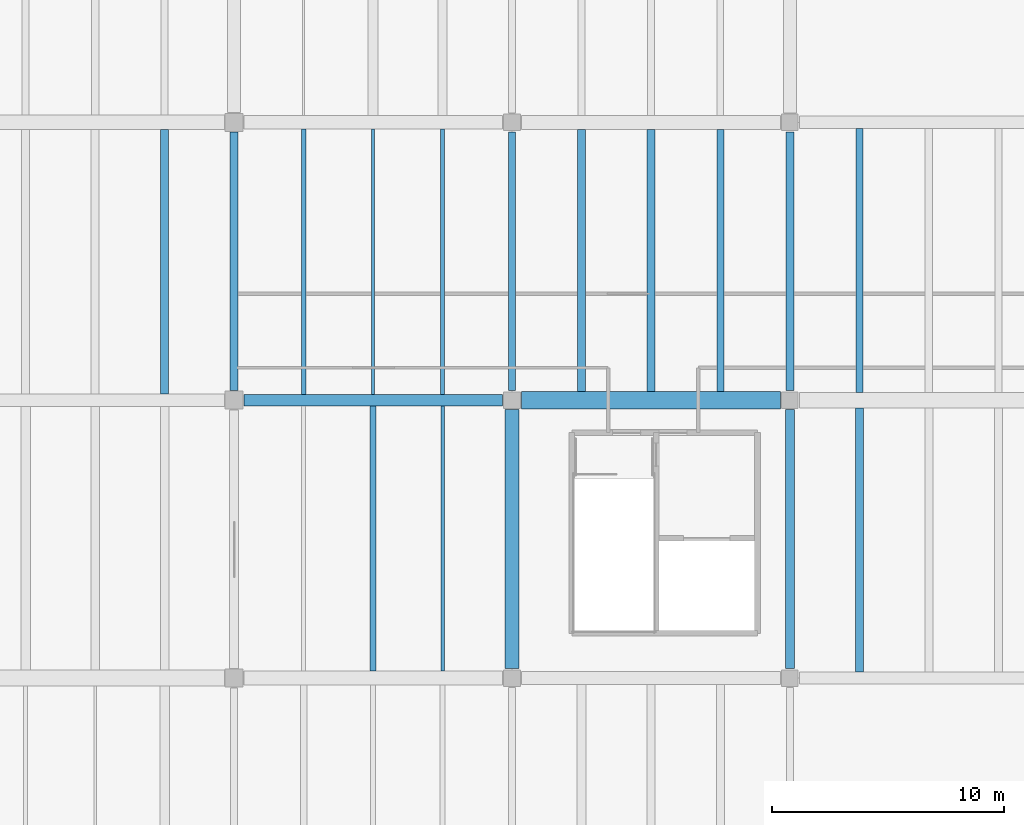
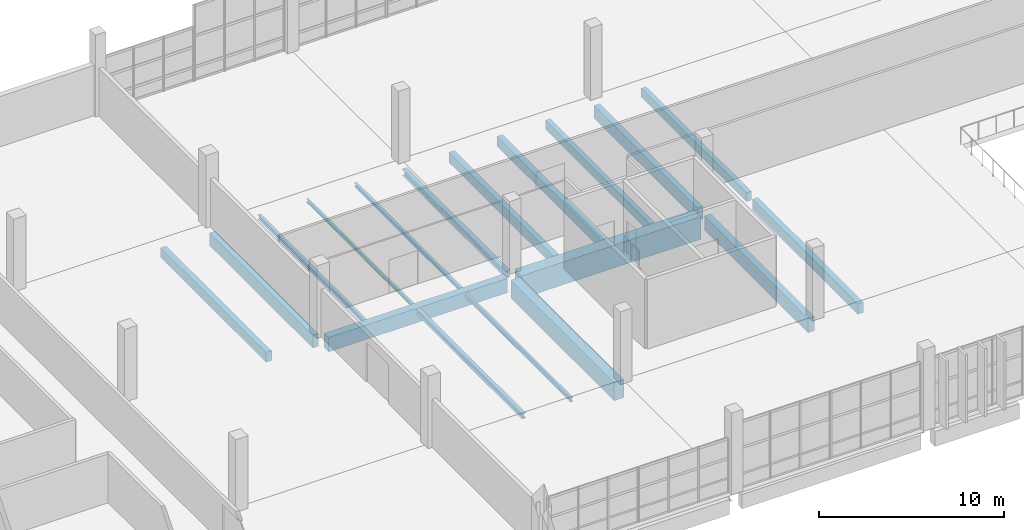
# One storey, part 28 of 112: 18 beams.
"""IFC4 building model written with IfcOpenShell, lengths in metres."""

from ifc_helpers import new_model, si_unit, direction, frame, origin, origin_2d, place, context, subcontext, project, spatial, rectangle, i_section, extrude, material, material_profile, profile_set, type_object, element, save


model = new_model("IFC4")

# Units and contexts
model_context = context("Model", 3, precision=1e-05, world=origin(), true_north=direction((0.0, 1.0)))
body_context = subcontext(model_context, "Body", "Model", "MODEL_VIEW")
ifc_project = project(units=[si_unit("LENGTHUNIT", "METRE"), si_unit("AREAUNIT", "SQUARE_METRE"), si_unit("VOLUMEUNIT", "CUBIC_METRE"), si_unit("PLANEANGLEUNIT", "RADIAN"), si_unit("MASSUNIT", "GRAM", prefix="KILO")], contexts=[model_context])

# Site, building, storey
site_placement = place(None, origin())
site = spatial("IfcSite", under=ifc_project, at=site_placement, CompositionType="ELEMENT")
building_placement = place(site_placement, origin())
building = spatial("IfcBuilding", under=site, at=building_placement, Name="Kamomehara Wholesale Market", CompositionType="ELEMENT")
storey_placement = place(building_placement, frame((0.0, 0.0, 6.60009765625)))
storey = spatial("IfcBuildingStorey", under=building, at=storey_placement, Name="L01", CompositionType="ELEMENT", Elevation=6.60009765625)

# Beams
ifc_material_1 = material(Name="Precast concrete Fc45 (C40/50)", Category="concrete")
ifc_material_profile_1 = material_profile(ifc_material_1, rectangle(XDim=0.60009765625, YDim=1.199951171875, at=origin_2d()), Name="PC-GRD-600x1200")
ifc_profile_set_1 = profile_set([ifc_material_profile_1], Name="Precast concrete Fc45 (C40/50)")
beam_type_1 = type_object("IfcBeamType", Name="BM-PG1200", PredefinedType="T_BEAM", material=ifc_profile_set_1)
beam_1_placement = place(storey_placement, frame((48.0, 120.409912109375, -0.9521484375), z_axis=(0.0, 1.0, 0.0), x_axis=(-1.0, 0.0, 0.0)))
element("IfcBeam", 1, at=beam_1_placement, inside=storey, type_object=beam_type_1, Name="Beam PG-05 L01", PredefinedType="T_BEAM", context=body_context, shape_type="SweptSolid", body=[
    extrude(rectangle(XDim=0.60009765625, YDim=1.199951171875, at=origin_2d()), origin(), (0.0, 0.0, 1.0), 11.18017578125),
])
ifc_material_2 = material(Name="Precast concrete Fc45 (C40/50)", Category="concrete")
ifc_material_profile_2 = material_profile(ifc_material_2, rectangle(XDim=0.75, YDim=1.5, at=origin_2d()), Name="PC-GRD-750x1500")
ifc_profile_set_2 = profile_set([ifc_material_profile_2], Name="Precast concrete Fc45 (C40/50)")
beam_type_2 = type_object("IfcBeamType", Name="BM-PG1500", PredefinedType="T_BEAM", material=ifc_profile_set_2)
beam_2_placement = place(storey_placement, frame((48.409912109375, 132.0, -1.10205078125), z_axis=(1.0, 0.0, 0.0), x_axis=(0.0, 1.0, 0.0)))
element("IfcBeam", 2, at=beam_2_placement, inside=storey, type_object=beam_type_2, Name="Beam PG-01 L01", PredefinedType="T_BEAM", context=body_context, shape_type="SweptSolid", body=[
    extrude(rectangle(XDim=0.75, YDim=1.5, at=origin_2d()), origin(), (0.0, 0.0, 1.0), 11.18017578125),
])
ifc_material_3 = material(Name="Precast concrete Fc45 (C40/50)", Category="concrete")
ifc_material_profile_3 = material_profile(ifc_material_3, rectangle(XDim=0.47998046875, YDim=0.949951171875, at=origin_2d()), Name="PC-GRD-480x950")
ifc_profile_set_3 = profile_set([ifc_material_profile_3], Name="Precast concrete Fc45 (C40/50)")
beam_type_3 = type_object("IfcBeamType", Name="BM-PG950", PredefinedType="T_BEAM", material=ifc_profile_set_3)
beam_3_placement = place(storey_placement, frame((36.425048828125, 132.0, -0.787109375), z_axis=(1.0, 0.0, 0.0), x_axis=(0.0, 1.0, 0.0)))
element("IfcBeam", 3, at=beam_3_placement, inside=storey, type_object=beam_type_3, Name="Beam PG-16 L01", PredefinedType="T_BEAM", context=body_context, shape_type="SweptSolid", body=[
    extrude(rectangle(XDim=0.47998046875, YDim=0.949951171875, at=origin_2d()), origin(), (0.0, 0.0, 1.0), 11.1650390625),
])
ifc_material_4 = material(Name="Precast concrete Fc45 (C40/50)", Category="concrete")
ifc_material_profile_4 = material_profile(ifc_material_4, rectangle(XDim=0.300048828125, YDim=0.60009765625, at=origin_2d()), Name="PC-JST-300x600")
ifc_profile_set_4 = profile_set([ifc_material_profile_4], Name="Precast concrete Fc45 (C40/50)")
beam_type_4 = type_object("IfcBeamType", Name="BM-PJ600B", PredefinedType="JOIST", material=ifc_profile_set_4)
beam_4_placement = place(storey_placement, frame((57.0, 132.375, -0.652099609375), z_axis=(0.0, 1.0, 0.0), x_axis=(-1.0, 0.0, 0.0)))
element("IfcBeam", 4, at=beam_4_placement, inside=storey, type_object=beam_type_4, Name="Beam PJ-10 L01", PredefinedType="JOIST", context=body_context, shape_type="SweptSolid", body=[
    extrude(rectangle(XDim=0.300048828125, YDim=0.60009765625, at=origin_2d()), origin(), (0.0, 0.0, 1.0), 11.324951171875),
])
beam_5_placement = place(storey_placement, frame((63.0, 132.340087890625, -0.652099609375), z_axis=(0.0, 1.0, 0.0), x_axis=(-1.0, 0.0, 0.0)))
element("IfcBeam", 5, at=beam_5_placement, inside=storey, type_object=beam_type_4, Name="Beam PJ-10 L01", PredefinedType="JOIST", context=body_context, shape_type="SweptSolid", body=[
    extrude(rectangle(XDim=0.300048828125, YDim=0.60009765625, at=origin_2d()), origin(), (0.0, 0.0, 1.0), 11.385009765625),
])
ifc_material_5 = material(Name="Precast concrete Fc45 (C40/50)", Category="concrete")
ifc_material_profile_5 = material_profile(ifc_material_5, rectangle(XDim=0.35009765625, YDim=0.64990234375, at=origin_2d()), Name="PC-JST-350x650")
ifc_profile_set_5 = profile_set([ifc_material_profile_5], Name="Precast concrete Fc45 (C40/50)")
beam_type_5 = type_object("IfcBeamType", Name="BM-PJ650", PredefinedType="JOIST", material=ifc_profile_set_5)
beam_6_placement = place(storey_placement, frame((33.0, 132.27490234375, -0.677001953125), z_axis=(0.0, 1.0, 0.0), x_axis=(-1.0, 0.0, 0.0)))
element("IfcBeam", 6, at=beam_6_placement, inside=storey, type_object=beam_type_5, Name="Beam PJ-04 L01", PredefinedType="JOIST", context=body_context, shape_type="SweptSolid", body=[
    extrude(rectangle(XDim=0.35009765625, YDim=0.64990234375, at=origin_2d()), origin(), (0.0, 0.0, 1.0), 11.4150390625),
])
beam_7_placement = place(storey_placement, frame((54.0, 132.375, -0.677001953125), z_axis=(0.0, 1.0, 0.0), x_axis=(-1.0, 0.0, 0.0)))
element("IfcBeam", 7, at=beam_7_placement, inside=storey, type_object=beam_type_5, Name="Beam PJ-04 L01", PredefinedType="JOIST", context=body_context, shape_type="SweptSolid", body=[
    extrude(rectangle(XDim=0.35009765625, YDim=0.64990234375, at=origin_2d()), origin(), (0.0, 0.0, 1.0), 11.324951171875),
])
ifc_material_6 = material(Name="Precast concrete Fc45 (C40/50)", Category="concrete")
ifc_material_profile_6 = material_profile(ifc_material_6, rectangle(XDim=0.340087890625, YDim=0.679931640625, at=origin_2d()), Name="PC-JST-340x680")
ifc_profile_set_6 = profile_set([ifc_material_profile_6], Name="Precast concrete Fc45 (C40/50)")
beam_type_6 = type_object("IfcBeamType", Name="BM-PJ680", PredefinedType="JOIST", material=ifc_profile_set_6)
beam_8_placement = place(storey_placement, frame((51.0, 132.375, -0.692138671875), z_axis=(0.0, 1.0, 0.0), x_axis=(-1.0, 0.0, 0.0)))
element("IfcBeam", 8, at=beam_8_placement, inside=storey, type_object=beam_type_6, Name="Beam PJ-09 L01", PredefinedType="JOIST", context=body_context, shape_type="SweptSolid", body=[
    extrude(rectangle(XDim=0.340087890625, YDim=0.679931640625, at=origin_2d()), origin(), (0.0, 0.0, 1.0), 11.324951171875),
])
ifc_material_7 = material(Name="Precast concrete Fc45 (C40/50)", Category="concrete")
ifc_material_profile_7 = material_profile(ifc_material_7, rectangle(XDim=0.35009765625, YDim=0.699951171875, at=origin_2d()), Name="PC-JST-350x700")
ifc_profile_set_7 = profile_set([ifc_material_profile_7], Name="Precast concrete Fc45 (C40/50)")
beam_type_7 = type_object("IfcBeamType", Name="BM-PJ700", PredefinedType="JOIST", material=ifc_profile_set_7)
beam_9_placement = place(storey_placement, frame((63.0, 120.260009765625, -0.7021484375), z_axis=(0.0, 1.0, 0.0), x_axis=(-1.0, 0.0, 0.0)))
element("IfcBeam", 9, at=beam_9_placement, inside=storey, type_object=beam_type_7, Name="Beam PJ-03 L01", PredefinedType="JOIST", context=body_context, shape_type="SweptSolid", body=[
    extrude(rectangle(XDim=0.35009765625, YDim=0.699951171875, at=origin_2d()), origin(), (0.0, 0.0, 1.0), 11.39990234375),
])
ifc_material_8 = material(Name="Precast concrete Fc45 (C40/50)", Category="concrete")
ifc_material_profile_8 = material_profile(ifc_material_8, rectangle(XDim=0.35009765625, YDim=0.85009765625, at=origin_2d()), Name="PC-SPN-350x850")
ifc_profile_set_8 = profile_set([ifc_material_profile_8], Name="Precast concrete Fc45 (C40/50)")
beam_type_8 = type_object("IfcBeamType", Name="BM-SPN850-EXT", PredefinedType="SPANDREL", material=ifc_profile_set_8)
beam_10_placement = place(storey_placement, frame((36.0, 132.425048828125, -0.777099609375), z_axis=(0.0, 1.0, 0.0), x_axis=(-1.0, 0.0, 0.0)))
element("IfcBeam", 10, at=beam_10_placement, inside=storey, type_object=beam_type_8, Name="Beam SPN-02E L01", PredefinedType="SPANDREL", context=body_context, shape_type="SweptSolid", body=[
    extrude(rectangle(XDim=0.35009765625, YDim=0.85009765625, at=origin_2d()), origin(), (0.0, 0.0, 1.0), 11.14990234375),
])
beam_11_placement = place(storey_placement, frame((60.0, 132.409912109375, -0.777099609375), z_axis=(0.0, 1.0, 0.0), x_axis=(-1.0, 0.0, 0.0)))
element("IfcBeam", 11, at=beam_11_placement, inside=storey, type_object=beam_type_8, Name="Beam SPN-02E L01", PredefinedType="SPANDREL", context=body_context, shape_type="SweptSolid", body=[
    extrude(rectangle(XDim=0.35009765625, YDim=0.85009765625, at=origin_2d()), origin(), (0.0, 0.0, 1.0), 11.18017578125),
])
ifc_material_9 = material(Name="Precast concrete Fc45 (C40/50)", Category="concrete")
ifc_material_profile_9 = material_profile(ifc_material_9, rectangle(XDim=0.39990234375, YDim=0.949951171875, at=origin_2d()), Name="PC-SPN-400x950")
ifc_profile_set_9 = profile_set([ifc_material_profile_9], Name="Precast concrete Fc45 (C40/50)")
beam_type_9 = type_object("IfcBeamType", Name="BM-SPN950-EXT", PredefinedType="SPANDREL", material=ifc_profile_set_9)
beam_12_placement = place(storey_placement, frame((60.0, 120.409912109375, -0.8271484375), z_axis=(0.0, 1.0, 0.0), x_axis=(-1.0, 0.0, 0.0)))
element("IfcBeam", 12, at=beam_12_placement, inside=storey, type_object=beam_type_9, Name="Beam SPN-01E L01", PredefinedType="SPANDREL", context=body_context, shape_type="SweptSolid", body=[
    extrude(rectangle(XDim=0.39990234375, YDim=0.949951171875, at=origin_2d()), origin(), (0.0, 0.0, 1.0), 11.18017578125),
])
ifc_material_10 = material(Name="Steel SN400B", Category="steel")
ifc_material_profile_10 = material_profile(ifc_material_10, i_section(OverallWidth=0.175048828125, OverallDepth=0.243896484375, WebThickness=0.007080078125, FlangeThickness=0.010986328125, FilletRadius=0.010986328125, at=origin_2d()), Name="H-244x175x7x11")
ifc_profile_set_10 = profile_set([ifc_material_profile_10], Name="Steel SN400B")
beam_type_10 = type_object("IfcBeamType", Name="BM-ST-H244", PredefinedType="JOIST", material=ifc_profile_set_10)
beam_13_placement = place(storey_placement, frame((45.0, 132.239990234375, -0.43408203125), z_axis=(0.0, 1.0, 0.0), x_axis=(-1.0, 0.0, 0.0)))
element("IfcBeam", 13, at=beam_13_placement, inside=storey, type_object=beam_type_10, Name="Beam SJ-10 L01", PredefinedType="JOIST", context=body_context, shape_type="SweptSolid", body=[
    extrude(i_section(OverallWidth=0.175048828125, OverallDepth=0.243896484375, WebThickness=0.007080078125, FlangeThickness=0.010986328125, FilletRadius=0.010986328125, at=origin_2d()), origin(), (0.0, 0.0, 1.0), 11.469970703125),
])
ifc_material_11 = material(Name="Steel SN400B", Category="steel")
ifc_material_profile_11 = material_profile(ifc_material_11, i_section(OverallWidth=0.125, OverallDepth=0.25, WebThickness=0.006103515625, FlangeThickness=0.009033203125, FilletRadius=0.008056640625, at=origin_2d()), Name="H-250x125x6x9")
ifc_profile_set_11 = profile_set([ifc_material_profile_11], Name="Steel SN400B")
beam_type_11 = type_object("IfcBeamType", Name="BM-ST-H250", PredefinedType="JOIST", material=ifc_profile_set_11)
beam_14_placement = place(storey_placement, frame((42.0, 132.239990234375, -0.43701171875), z_axis=(0.0, 1.0, 0.0), x_axis=(-1.0, 0.0, 0.0)))
element("IfcBeam", 14, at=beam_14_placement, inside=storey, type_object=beam_type_11, Name="Beam SJ-06 L01", PredefinedType="JOIST", context=body_context, shape_type="SweptSolid", body=[
    extrude(i_section(OverallWidth=0.125, OverallDepth=0.25, WebThickness=0.006103515625, FlangeThickness=0.009033203125, FilletRadius=0.008056640625, at=origin_2d()), origin(), (0.0, 0.0, 1.0), 11.469970703125),
])
ifc_material_12 = material(Name="Steel SN400B", Category="steel")
ifc_material_profile_12 = material_profile(ifc_material_12, i_section(OverallWidth=0.199951171875, OverallDepth=0.2939453125, WebThickness=0.008056640625, FlangeThickness=0.011962890625, FilletRadius=0.012939453125, at=origin_2d()), Name="H-294x200x8x12")
ifc_profile_set_12 = profile_set([ifc_material_profile_12], Name="Steel SN400B")
beam_type_12 = type_object("IfcBeamType", Name="BM-ST-H294", PredefinedType="JOIST", material=ifc_profile_set_12)
beam_15_placement = place(storey_placement, frame((39.0, 132.239990234375, -0.458984375), z_axis=(0.0, 1.0, 0.0), x_axis=(-1.0, 0.0, 0.0)))
element("IfcBeam", 15, at=beam_15_placement, inside=storey, type_object=beam_type_12, Name="Beam SJ-09 L01", PredefinedType="JOIST", context=body_context, shape_type="SweptSolid", body=[
    extrude(i_section(OverallWidth=0.199951171875, OverallDepth=0.2939453125, WebThickness=0.008056640625, FlangeThickness=0.011962890625, FilletRadius=0.012939453125, at=origin_2d()), origin(), (0.0, 0.0, 1.0), 11.469970703125),
])
ifc_material_13 = material(Name="Steel SN400B", Category="steel")
ifc_material_profile_13 = material_profile(ifc_material_13, i_section(OverallWidth=0.14990234375, OverallDepth=0.300048828125, WebThickness=0.006591796875, FlangeThickness=0.009033203125, FilletRadius=0.012939453125, at=origin_2d()), Name="H-300x150x6.5x9")
ifc_profile_set_13 = profile_set([ifc_material_profile_13], Name="Steel SN400B")
beam_type_13 = type_object("IfcBeamType", Name="BM-ST-H300", PredefinedType="JOIST", material=ifc_profile_set_13)
beam_16_placement = place(storey_placement, frame((45.0, 120.300048828125, -0.462158203125), z_axis=(0.0, 1.0, 0.0), x_axis=(-1.0, 0.0, 0.0)))
element("IfcBeam", 16, at=beam_16_placement, inside=storey, type_object=beam_type_13, Name="Beam SJ-05 L01", PredefinedType="JOIST", context=body_context, shape_type="SweptSolid", body=[
    extrude(i_section(OverallWidth=0.14990234375, OverallDepth=0.300048828125, WebThickness=0.006591796875, FlangeThickness=0.009033203125, FilletRadius=0.012939453125, at=origin_2d()), origin(), (0.0, 0.0, 1.0), 11.4599609375),
])
ifc_material_14 = material(Name="Steel SN490B", Category="steel")
ifc_material_profile_14 = material_profile(ifc_material_14, i_section(OverallWidth=0.25, OverallDepth=0.340087890625, WebThickness=0.009033203125, FlangeThickness=0.013916015625, FilletRadius=0.012939453125, at=origin_2d()), Name="H-340x250x9x14")
ifc_profile_set_14 = profile_set([ifc_material_profile_14], Name="Steel SN490B")
beam_type_14 = type_object("IfcBeamType", Name="BM-ST-H340", PredefinedType="JOIST", material=ifc_profile_set_14)
beam_17_placement = place(storey_placement, frame((42.0, 120.300048828125, -0.482177734375), z_axis=(0.0, 1.0, 0.0), x_axis=(-1.0, 0.0, 0.0)))
element("IfcBeam", 17, at=beam_17_placement, inside=storey, type_object=beam_type_14, Name="Beam SJ-08 L01", PredefinedType="JOIST", context=body_context, shape_type="SweptSolid", body=[
    extrude(i_section(OverallWidth=0.25, OverallDepth=0.340087890625, WebThickness=0.009033203125, FlangeThickness=0.013916015625, FilletRadius=0.012939453125, at=origin_2d()), origin(), (0.0, 0.0, 1.0), 11.4599609375),
])
ifc_material_15 = material(Name="Steel SN490B", Category="steel")
ifc_material_profile_15 = material_profile(ifc_material_15, i_section(OverallWidth=0.300048828125, OverallDepth=0.43994140625, WebThickness=0.010986328125, FlangeThickness=0.01806640625, FilletRadius=0.01806640625, at=origin_2d()), Name="H-440x300x11x18")
ifc_profile_set_15 = profile_set([ifc_material_profile_15], Name="Steel SN490B")
beam_type_15 = type_object("IfcBeamType", Name="BM-ST-H440", PredefinedType="BEAM", material=ifc_profile_set_15)
beam_18_placement = place(storey_placement, frame((48.0, 132.409912109375, -0.572021484375), z_axis=(0.0, 1.0, 0.0), x_axis=(-1.0, 0.0, 0.0)))
element("IfcBeam", 18, at=beam_18_placement, inside=storey, type_object=beam_type_15, Name="Beam SG-11 L01", PredefinedType="BEAM", context=body_context, shape_type="SweptSolid", body=[
    extrude(i_section(OverallWidth=0.300048828125, OverallDepth=0.43994140625, WebThickness=0.010986328125, FlangeThickness=0.01806640625, FilletRadius=0.01806640625, at=origin_2d()), origin(), (0.0, 0.0, 1.0), 11.18017578125),
])

save(model, "model.ifc")
